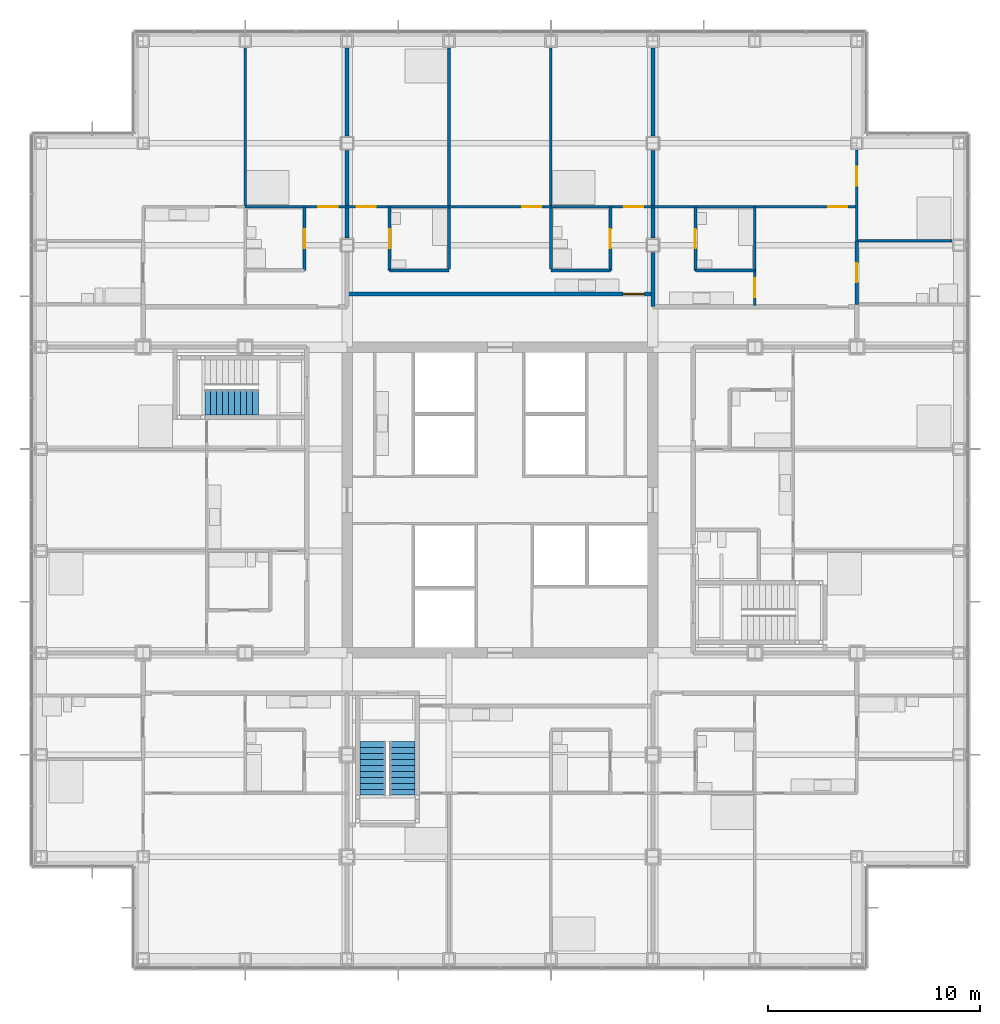
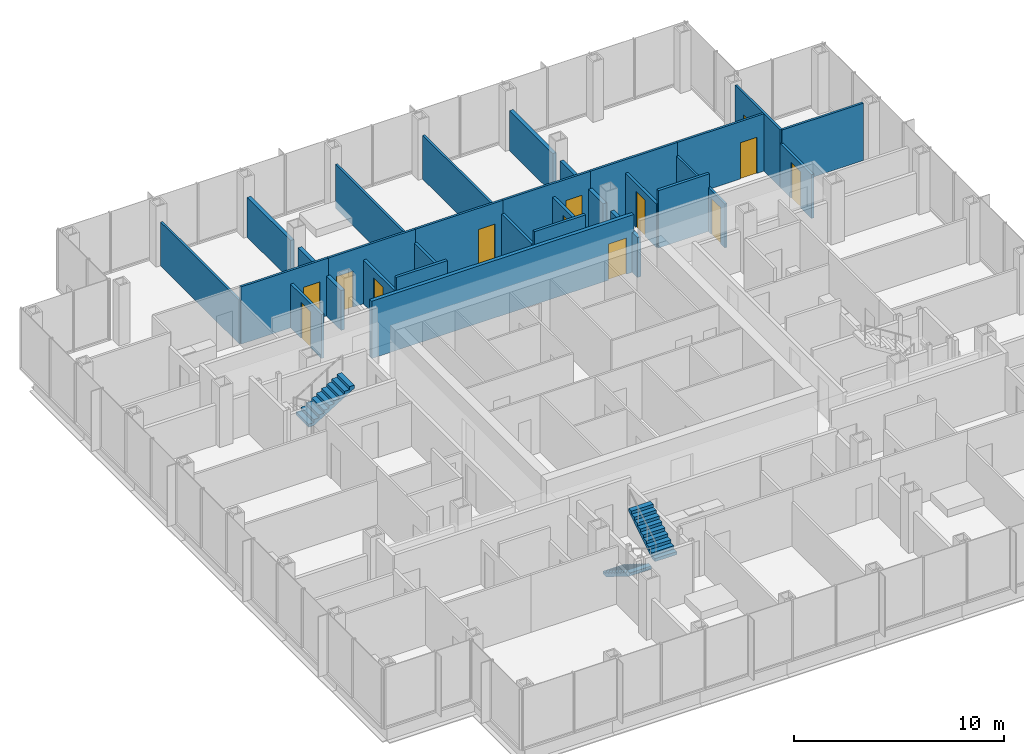
# One storey, part 17 of 21: 28 walls, 13 doors, 3 stair flights, 13 openings, 2 elements without a shape of their own.
"""IFC4 building model written with IfcOpenShell, lengths in metres."""

from ifc_helpers import new_model, si_unit, direction, frame, frame_2d, origin, place, context, subcontext, project, spatial, polyline, rectangle, outline, extrude, material, layer, layer_set, type_object, element, fill, aggregate, save


model = new_model("IFC4")

# Units and contexts
model_context = context("Model", 3, precision=1e-05, world=origin(), true_north=direction((0.0, 1.0)))
body_context = subcontext(model_context, "Body", "Model", "MODEL_VIEW")
ifc_project = project(units=[si_unit("LENGTHUNIT", "METRE"), si_unit("AREAUNIT", "SQUARE_METRE"), si_unit("VOLUMEUNIT", "CUBIC_METRE"), si_unit("PLANEANGLEUNIT", "RADIAN"), si_unit("MASSUNIT", "GRAM", prefix="KILO")], contexts=[model_context])

# Site, building, storey
site_placement = place(None, origin())
site = spatial("IfcSite", under=ifc_project, at=site_placement, CompositionType="ELEMENT")
building_placement = place(site_placement, origin())
building = spatial("IfcBuilding", under=site, at=building_placement, Name="Kvirike Care Tower", CompositionType="ELEMENT")
storey_placement = place(building_placement, frame((0.0, 0.0, 65.5)))
storey = spatial("IfcBuildingStorey", under=building, at=storey_placement, Name="L17", CompositionType="ELEMENT", Elevation=65.5)

# Wall, opening, door
ifc_material_1 = material(Name="Moisture-resistant board partition", Category="gypsum")
ifc_layer_1 = layer(ifc_material_1, 0.14990234375)
ifc_layer_set_1 = layer_set([ifc_layer_1], Name="BATHROOM WALL 150")
wall_type_1 = type_object("IfcWallType", Name="BATHROOM WALL 150", PredefinedType="PARTITIONING", material=ifc_layer_set_1)
wall_1_placement = place(storey_placement, frame((12.39990234375, 49.800048828125, 0.0), z_axis=(0.0, 0.0, 1.0), x_axis=(0.0, -1.0, 0.0)))
wall_1 = element("IfcWall", 1, at=wall_1_placement, inside=storey, type_object=wall_type_1, Name="Bathroom Wall 150 L17", PredefinedType="PARTITIONING", context=body_context, shape_type="SweptSolid", body=[
    extrude(rectangle(XDim=3.0, YDim=0.14990234375, at=frame_2d((1.5, 0.0))), origin(), (0.0, 0.0, 1.0), 2.550048828125),
])
opening_1_placement = place(wall_1_placement, frame((1.050048828125, 0.0, 0.0)))
opening_1 = element("IfcOpeningElement", 2, at=opening_1_placement, cuts=wall_1, Name="Opening 17-015", PredefinedType="OPENING", context=body_context, shape_type="SweptSolid", body=[
    extrude(rectangle(XDim=0.89990234375, YDim=2.10009765625, at=frame_2d((0.449951171875, 1.050048828125))), frame((0.0, 0.08544921875, 0.0), z_axis=(0.0, -1.0, 0.0), x_axis=(1.0, 0.0, 0.0)), (0.0, 0.0, 1.0), 0.1708984375),
])
ifc_material_2 = material(Name="Timber door set", Category="wood")
door_type_1 = type_object("IfcDoorType", Name="BATHROOM DOOR 900", OperationType="SINGLE_SWING_RIGHT", PredefinedType="DOOR", material=ifc_material_2)
door_1_placement = place(opening_1_placement, frame((0.89990234375, 0.0, 0.0), z_axis=(0.0, 0.0, 1.0), x_axis=(-1.0, 0.0, 0.0)))
door_1 = element("IfcDoor", 3, at=door_1_placement, inside=storey, type_object=door_type_1, Name="Shower room door", OperationType="SINGLE_SWING_RIGHT", OverallHeight=2.10009765625, OverallWidth=0.89990234375, PredefinedType="DOOR", context=body_context, shape_type="SweptSolid", body=[
    extrude(rectangle(XDim=0.89990234375, YDim=2.10009765625, at=frame_2d((0.449951171875, 1.050048828125))), frame((0.0, 0.02197265625, 0.0), z_axis=(0.0, -1.0, 0.0), x_axis=(1.0, 0.0, 0.0)), (0.0, 0.0, 1.0), 0.0439453125),
])
fill(opening_1, door_1)

wall_2_placement = place(storey_placement, frame((26.800048828125, 49.800048828125, 0.0), z_axis=(0.0, 0.0, 1.0), x_axis=(0.0, -1.0, 0.0)))
wall_2 = element("IfcWall", 4, at=wall_2_placement, inside=storey, type_object=wall_type_1, Name="Bathroom Wall 150 L17", PredefinedType="PARTITIONING", context=body_context, shape_type="SweptSolid", body=[
    extrude(rectangle(XDim=3.0, YDim=0.14990234375, at=frame_2d((1.5, 0.0))), origin(), (0.0, 0.0, 1.0), 2.550048828125),
])
opening_2_placement = place(wall_2_placement, frame((1.050048828125, 0.0, 0.0)))
opening_2 = element("IfcOpeningElement", 5, at=opening_2_placement, cuts=wall_2, Name="Opening 17-027", PredefinedType="OPENING", context=body_context, shape_type="SweptSolid", body=[
    extrude(rectangle(XDim=0.89990234375, YDim=2.10009765625, at=frame_2d((0.449951171875, 1.050048828125))), frame((0.0, 0.08544921875, 0.0), z_axis=(0.0, -1.0, 0.0), x_axis=(1.0, 0.0, 0.0)), (0.0, 0.0, 1.0), 0.1708984375),
])
door_2_placement = place(opening_2_placement, frame((0.89990234375, 0.0, 0.0), z_axis=(0.0, 0.0, 1.0), x_axis=(-1.0, 0.0, 0.0)))
door_2 = element("IfcDoor", 6, at=door_2_placement, inside=storey, type_object=door_type_1, Name="Shower room door", OperationType="SINGLE_SWING_LEFT", OverallHeight=2.10009765625, OverallWidth=0.89990234375, PredefinedType="DOOR", context=body_context, shape_type="SweptSolid", body=[
    extrude(rectangle(XDim=0.89990234375, YDim=2.10009765625, at=frame_2d((0.449951171875, 1.050048828125))), frame((0.0, 0.02197265625, 0.0), z_axis=(0.0, -1.0, 0.0), x_axis=(1.0, 0.0, 0.0)), (0.0, 0.0, 1.0), 0.0439453125),
])
fill(opening_2, door_2)

# Wall
wall_3_placement = place(storey_placement, frame((26.800048828125, 46.800048828125, 0.0), z_axis=(0.0, 0.0, 1.0), x_axis=(-1.0, 0.0, 0.0)))
element("IfcWall", 7, at=wall_3_placement, inside=storey, type_object=wall_type_1, Name="Bathroom Wall 150 L17", PredefinedType="PARTITIONING", context=body_context, shape_type="SweptSolid", body=[
    extrude(rectangle(XDim=2.800048828125, YDim=0.14990234375, at=frame_2d((1.39990234375, 0.0))), origin(), (0.0, 0.0, 1.0), 3.330078125),
])

# Wall, opening, door
wall_4_placement = place(storey_placement, frame((16.39990234375, 49.800048828125, 0.0), z_axis=(0.0, 0.0, 1.0), x_axis=(0.0, -1.0, 0.0)))
wall_4 = element("IfcWall", 8, at=wall_4_placement, inside=storey, type_object=wall_type_1, Name="Bathroom Wall 150 L17", PredefinedType="PARTITIONING", context=body_context, shape_type="SweptSolid", body=[
    extrude(rectangle(XDim=3.0, YDim=0.14990234375, at=frame_2d((1.5, 0.0))), origin(), (0.0, 0.0, 1.0), 2.550048828125),
])
opening_3_placement = place(wall_4_placement, frame((1.050048828125, 0.0, 0.0)))
opening_3 = element("IfcOpeningElement", 9, at=opening_3_placement, cuts=wall_4, Name="Opening 17-028", PredefinedType="OPENING", context=body_context, shape_type="SweptSolid", body=[
    extrude(rectangle(XDim=0.89990234375, YDim=2.10009765625, at=frame_2d((0.449951171875, 1.050048828125))), frame((0.0, 0.08544921875, 0.0), z_axis=(0.0, -1.0, 0.0), x_axis=(1.0, 0.0, 0.0)), (0.0, 0.0, 1.0), 0.1708984375),
])
door_3_placement = place(opening_3_placement, origin())
door_3 = element("IfcDoor", 10, at=door_3_placement, inside=storey, type_object=door_type_1, Name="Bathroom door", OperationType="SINGLE_SWING_LEFT", OverallHeight=2.10009765625, OverallWidth=0.89990234375, PredefinedType="DOOR", context=body_context, shape_type="SweptSolid", body=[
    extrude(rectangle(XDim=0.89990234375, YDim=2.10009765625, at=frame_2d((0.449951171875, 1.050048828125))), frame((0.0, 0.02197265625, 0.0), z_axis=(0.0, -1.0, 0.0), x_axis=(1.0, 0.0, 0.0)), (0.0, 0.0, 1.0), 0.0439453125),
])
fill(opening_3, door_3)

# Wall
wall_5_placement = place(storey_placement, frame((19.199951171875, 46.800048828125, 0.0), z_axis=(0.0, 0.0, 1.0), x_axis=(-1.0, 0.0, 0.0)))
element("IfcWall", 11, at=wall_5_placement, inside=storey, type_object=wall_type_1, Name="Bathroom Wall 150 L17", PredefinedType="PARTITIONING", context=body_context, shape_type="SweptSolid", body=[
    extrude(rectangle(XDim=2.800048828125, YDim=0.14990234375, at=frame_2d((1.39990234375, 0.0))), origin(), (0.0, 0.0, 1.0), 3.330078125),
])

# Wall, opening, door
wall_6_placement = place(storey_placement, frame((38.39990234375, 48.199951171875, 0.0), z_axis=(0.0, 0.0, 1.0), x_axis=(0.0, -1.0, 0.0)))
wall_6 = element("IfcWall", 12, at=wall_6_placement, inside=storey, type_object=wall_type_1, Name="Bathroom Wall 150 L17", PredefinedType="PARTITIONING", context=body_context, shape_type="SweptSolid", body=[
    extrude(rectangle(XDim=3.0, YDim=0.14990234375, at=frame_2d((1.5, 0.0))), origin(), (0.0, 0.0, 1.0), 2.550048828125),
])
opening_4_placement = place(wall_6_placement, frame((1.050048828125, 0.0, 0.0)))
opening_4 = element("IfcOpeningElement", 13, at=opening_4_placement, cuts=wall_6, Name="Opening 17-047", PredefinedType="OPENING", context=body_context, shape_type="SweptSolid", body=[
    extrude(rectangle(XDim=0.89990234375, YDim=2.10009765625, at=frame_2d((0.449951171875, 1.050048828125))), frame((0.0, 0.08544921875, 0.0), z_axis=(0.0, -1.0, 0.0), x_axis=(1.0, 0.0, 0.0)), (0.0, 0.0, 1.0), 0.1708984375),
])
door_4_placement = place(opening_4_placement, origin())
door_4 = element("IfcDoor", 14, at=door_4_placement, inside=storey, type_object=door_type_1, Name="Shower room door", OperationType="SINGLE_SWING_RIGHT", OverallHeight=2.10009765625, OverallWidth=0.89990234375, PredefinedType="DOOR", context=body_context, shape_type="SweptSolid", body=[
    extrude(rectangle(XDim=0.89990234375, YDim=2.10009765625, at=frame_2d((0.449951171875, 1.050048828125))), frame((0.0, 0.02197265625, 0.0), z_axis=(0.0, -1.0, 0.0), x_axis=(1.0, 0.0, 0.0)), (0.0, 0.0, 1.0), 0.0439453125),
])
fill(opening_4, door_4)

wall_7_placement = place(storey_placement, frame((30.800048828125, 49.800048828125, 0.0), z_axis=(0.0, 0.0, 1.0), x_axis=(0.0, -1.0, 0.0)))
wall_7 = element("IfcWall", 15, at=wall_7_placement, inside=storey, type_object=wall_type_1, Name="Bathroom Wall 150 L17", PredefinedType="PARTITIONING", context=body_context, shape_type="SweptSolid", body=[
    extrude(rectangle(XDim=3.0, YDim=0.14990234375, at=frame_2d((1.5, 0.0))), origin(), (0.0, 0.0, 1.0), 2.550048828125),
])
opening_5_placement = place(wall_7_placement, frame((1.050048828125, 0.0, 0.0)))
opening_5 = element("IfcOpeningElement", 16, at=opening_5_placement, cuts=wall_7, Name="Opening 17-048", PredefinedType="OPENING", context=body_context, shape_type="SweptSolid", body=[
    extrude(rectangle(XDim=0.89990234375, YDim=2.10009765625, at=frame_2d((0.449951171875, 1.050048828125))), frame((0.0, 0.08544921875, 0.0), z_axis=(0.0, -1.0, 0.0), x_axis=(1.0, 0.0, 0.0)), (0.0, 0.0, 1.0), 0.1708984375),
])
door_5_placement = place(opening_5_placement, origin())
door_5 = element("IfcDoor", 17, at=door_5_placement, inside=storey, type_object=door_type_1, Name="Bathroom door", OperationType="SINGLE_SWING_LEFT", OverallHeight=2.10009765625, OverallWidth=0.89990234375, PredefinedType="DOOR", context=body_context, shape_type="SweptSolid", body=[
    extrude(rectangle(XDim=0.89990234375, YDim=2.10009765625, at=frame_2d((0.449951171875, 1.050048828125))), frame((0.0, 0.02197265625, 0.0), z_axis=(0.0, -1.0, 0.0), x_axis=(1.0, 0.0, 0.0)), (0.0, 0.0, 1.0), 0.0439453125),
])
fill(opening_5, door_5)

# Walls
wall_8_placement = place(storey_placement, frame((33.60009765625, 46.800048828125, 0.0), z_axis=(0.0, 0.0, 1.0), x_axis=(-1.0, 0.0, 0.0)))
element("IfcWall", 18, at=wall_8_placement, inside=storey, type_object=wall_type_1, Name="Bathroom Wall 150 L17", PredefinedType="PARTITIONING", context=body_context, shape_type="SweptSolid", body=[
    extrude(rectangle(XDim=2.800048828125, YDim=0.14990234375, at=frame_2d((1.39990234375, 0.0))), origin(), (0.0, 0.0, 1.0), 3.330078125),
])
for number, where, z_axis, x_axis, name in (
    (19, (24.0, 46.875, 0.0), (0.0, 0.0, 1.0), (0.0, 1.0, 0.0), "Bathroom Wall 150 L17"),
    (20, (19.199951171875, 49.739990234375, 0.0), (0.0, 0.0, 1.0), (0.0, -1.0, 0.0), "Bathroom Wall 150 L17"),
):
    element("IfcWall", number, at=place(storey_placement, frame(where, z_axis=z_axis, x_axis=x_axis)), inside=storey, type_object=wall_type_1, Name=name, PredefinedType="PARTITIONING", context=body_context, shape_type="SweptSolid", body=[
        extrude(rectangle(XDim=2.864990234375, YDim=0.14990234375, at=frame_2d((1.4326171875, 0.0))), origin(), (0.0, 0.0, 1.0), 2.550048828125),
    ])

# Wall, opening, door
ifc_material_3 = material(Name="Plasterboard corridor wall", Category="gypsum")
ifc_layer_2 = layer(ifc_material_3, 0.199951171875)
ifc_layer_set_2 = layer_set([ifc_layer_2], Name="CORRIDOR WALL 200")
wall_type_2 = type_object("IfcWallType", Name="CORRIDOR WALL 200", PredefinedType="PARTITIONING", material=ifc_layer_set_2)
wall_9_placement = place(storey_placement, frame((28.800048828125, 45.699951171875, 0.0), z_axis=(0.0, 0.0, 1.0), x_axis=(-1.0, 0.0, 0.0)))
wall_9 = element("IfcWall", 21, at=wall_9_placement, inside=storey, type_object=wall_type_2, Name="Corridor Wall 200 L17", PredefinedType="PARTITIONING", context=body_context, shape_type="SweptSolid", body=[
    extrude(rectangle(XDim=14.400146484375, YDim=0.199951171875, at=frame_2d((7.2001953125, 0.0))), origin(), (0.0, 0.0, 1.0), 3.330078125),
])
opening_6_placement = place(wall_9_placement, frame((0.39990234375, 0.0, 0.0)))
opening_6 = element("IfcOpeningElement", 22, at=opening_6_placement, cuts=wall_9, Name="Opening 17-032", PredefinedType="OPENING", context=body_context, shape_type="SweptSolid", body=[
    extrude(rectangle(XDim=1.0, YDim=2.10009765625, at=frame_2d((0.5, 1.050048828125))), frame((0.0, 0.110595703125, 0.0), z_axis=(0.0, -1.0, 0.0), x_axis=(1.0, 0.0, 0.0)), (0.0, 0.0, 1.0), 0.220947265625),
])
ifc_material_4 = material(Name="Timber door set", Category="wood")
door_type_2 = type_object("IfcDoorType", Name="FLAT ENTRANCE DOOR 1000", OperationType="SINGLE_SWING_LEFT", PredefinedType="DOOR", material=ifc_material_4)
door_6_placement = place(opening_6_placement, frame((1.0, 0.0, 0.0), z_axis=(0.0, 0.0, 1.0), x_axis=(-1.0, 0.0, 0.0)))
door_6 = element("IfcDoor", 23, at=door_6_placement, inside=storey, type_object=door_type_2, Name="Two-bedroom apartment entrance", OperationType="SINGLE_SWING_LEFT", OverallHeight=2.10009765625, OverallWidth=1.0, PredefinedType="DOOR", context=body_context, shape_type="SweptSolid", body=[
    extrude(rectangle(XDim=1.0, YDim=2.10009765625, at=frame_2d((0.5, 1.050048828125))), frame((0.0, 0.02685546875, 0.0), z_axis=(0.0, -1.0, 0.0), x_axis=(1.0, 0.0, 0.0)), (0.0, 0.0, 1.0), 0.053955078125),
])
fill(opening_6, door_6)

ifc_material_5 = material(Name="Plasterboard partition", Category="gypsum")
ifc_layer_3 = layer(ifc_material_5, 0.1201171875)
ifc_layer_set_3 = layer_set([ifc_layer_3], Name="PARTITION 120")
wall_type_3 = type_object("IfcWallType", Name="PARTITION 120", PredefinedType="PARTITIONING", material=ifc_layer_set_3)
wall_10_placement = place(storey_placement, frame((14.39990234375, 49.800048828125, 0.0), z_axis=(0.0, 0.0, 1.0), x_axis=(-1.0, 0.0, 0.0)))
wall_10 = element("IfcWall", 24, at=wall_10_placement, inside=storey, type_object=wall_type_3, Name="Partition 120 L17", PredefinedType="PARTITIONING", context=body_context, shape_type="SweptSolid", body=[
    extrude(rectangle(XDim=4.7998046875, YDim=0.1201171875, at=frame_2d((2.39990234375, 0.0))), origin(), (0.0, 0.0, 1.0), 3.330078125),
])
opening_7_placement = place(wall_10_placement, frame((0.449951171875, 0.0, 0.0)))
opening_7 = element("IfcOpeningElement", 25, at=opening_7_placement, cuts=wall_10, Name="Opening 17-018", PredefinedType="OPENING", context=body_context, shape_type="SweptSolid", body=[
    extrude(rectangle(XDim=0.89990234375, YDim=2.10009765625, at=frame_2d((0.449951171875, 1.050048828125))), frame((0.0, 0.070556640625, 0.0), z_axis=(0.0, -1.0, 0.0), x_axis=(1.0, 0.0, 0.0)), (0.0, 0.0, 1.0), 0.14111328125),
])
ifc_material_6 = material(Name="Timber door set", Category="wood")
door_type_3 = type_object("IfcDoorType", Name="INTERNAL DOOR 900", OperationType="SINGLE_SWING_LEFT", PredefinedType="DOOR", material=ifc_material_6)
door_7_placement = place(opening_7_placement, origin())
door_7 = element("IfcDoor", 26, at=door_7_placement, inside=storey, type_object=door_type_3, Name="Apartment bedroom door", OperationType="SINGLE_SWING_RIGHT", OverallHeight=2.10009765625, OverallWidth=0.89990234375, PredefinedType="DOOR", context=body_context, shape_type="SweptSolid", body=[
    extrude(rectangle(XDim=0.89990234375, YDim=2.10009765625, at=frame_2d((0.449951171875, 1.050048828125))), frame((0.0, 0.02197265625, 0.0), z_axis=(0.0, -1.0, 0.0), x_axis=(1.0, 0.0, 0.0)), (0.0, 0.0, 1.0), 0.0439453125),
])
fill(opening_7, door_7)

# Wall
wall_11_placement = place(storey_placement, frame((9.60009765625, 57.280029296875, 0.0), z_axis=(0.0, 0.0, 1.0), x_axis=(0.0, -1.0, 0.0)))
element("IfcWall", 27, at=wall_11_placement, inside=storey, type_object=wall_type_3, Name="Partition 120 L17", PredefinedType="PARTITIONING", context=body_context, shape_type="SweptSolid", body=[
    extrude(rectangle(XDim=7.47998046875, YDim=0.1201171875, at=frame_2d((3.739990234375, 0.0))), origin(), (0.0, 0.0, 1.0), 2.550048828125),
])

# Wall, opening, door
wall_12_placement = place(storey_placement, frame((28.800048828125, 49.800048828125, 0.0), z_axis=(0.0, 0.0, 1.0), x_axis=(-1.0, 0.0, 0.0)))
wall_12 = element("IfcWall", 28, at=wall_12_placement, inside=storey, type_object=wall_type_3, Name="Partition 120 L17", PredefinedType="PARTITIONING", context=body_context, shape_type="SweptSolid", body=[
    extrude(rectangle(XDim=4.800048828125, YDim=0.1201171875, at=frame_2d((2.39990234375, 0.0))), origin(), (0.0, 0.0, 1.0), 3.330078125),
])
opening_8_placement = place(wall_12_placement, frame((0.449951171875, 0.0, 0.0)))
opening_8 = element("IfcOpeningElement", 29, at=opening_8_placement, cuts=wall_12, Name="Opening 17-029", PredefinedType="OPENING", context=body_context, shape_type="SweptSolid", body=[
    extrude(rectangle(XDim=0.89990234375, YDim=2.10009765625, at=frame_2d((0.449951171875, 1.050048828125))), frame((0.0, 0.070556640625, 0.0), z_axis=(0.0, -1.0, 0.0), x_axis=(1.0, 0.0, 0.0)), (0.0, 0.0, 1.0), 0.14111328125),
])
door_8_placement = place(opening_8_placement, frame((0.89990234375, 0.0, 0.0), z_axis=(0.0, 0.0, 1.0), x_axis=(-1.0, 0.0, 0.0)))
door_8 = element("IfcDoor", 30, at=door_8_placement, inside=storey, type_object=door_type_3, Name="Apartment bedroom door", OperationType="SINGLE_SWING_LEFT", OverallHeight=2.10009765625, OverallWidth=0.89990234375, PredefinedType="DOOR", context=body_context, shape_type="SweptSolid", body=[
    extrude(rectangle(XDim=0.89990234375, YDim=2.10009765625, at=frame_2d((0.449951171875, 1.050048828125))), frame((0.0, 0.02197265625, 0.0), z_axis=(0.0, -1.0, 0.0), x_axis=(1.0, 0.0, 0.0)), (0.0, 0.0, 1.0), 0.0439453125),
])
fill(opening_8, door_8)

wall_13_placement = place(storey_placement, frame((24.0, 49.800048828125, 0.0), z_axis=(0.0, 0.0, 1.0), x_axis=(-1.0, 0.0, 0.0)))
wall_13 = element("IfcWall", 31, at=wall_13_placement, inside=storey, type_object=wall_type_3, Name="Partition 120 L17", PredefinedType="PARTITIONING", context=body_context, shape_type="SweptSolid", body=[
    extrude(rectangle(XDim=4.800048828125, YDim=0.1201171875, at=frame_2d((2.39990234375, 0.0))), origin(), (0.0, 0.0, 1.0), 3.330078125),
])
opening_9_placement = place(wall_13_placement, frame((0.449951171875, 0.0, 0.0)))
opening_9 = element("IfcOpeningElement", 32, at=opening_9_placement, cuts=wall_13, Name="Opening 17-030", PredefinedType="OPENING", context=body_context, shape_type="SweptSolid", body=[
    extrude(rectangle(XDim=0.89990234375, YDim=2.10009765625, at=frame_2d((0.449951171875, 1.050048828125))), frame((0.0, 0.070556640625, 0.0), z_axis=(0.0, -1.0, 0.0), x_axis=(1.0, 0.0, 0.0)), (0.0, 0.0, 1.0), 0.14111328125),
])
door_9_placement = place(opening_9_placement, frame((0.89990234375, 0.0, 0.0), z_axis=(0.0, 0.0, 1.0), x_axis=(-1.0, 0.0, 0.0)))
door_9 = element("IfcDoor", 33, at=door_9_placement, inside=storey, type_object=door_type_3, Name="Apartment living room door", OperationType="SINGLE_SWING_RIGHT", OverallHeight=2.10009765625, OverallWidth=0.89990234375, PredefinedType="DOOR", context=body_context, shape_type="SweptSolid", body=[
    extrude(rectangle(XDim=0.89990234375, YDim=2.10009765625, at=frame_2d((0.449951171875, 1.050048828125))), frame((0.0, 0.02197265625, 0.0), z_axis=(0.0, -1.0, 0.0), x_axis=(1.0, 0.0, 0.0)), (0.0, 0.0, 1.0), 0.0439453125),
])
fill(opening_9, door_9)

wall_14_placement = place(storey_placement, frame((19.199951171875, 49.800048828125, 0.0), z_axis=(0.0, 0.0, 1.0), x_axis=(-1.0, 0.0, 0.0)))
wall_14 = element("IfcWall", 34, at=wall_14_placement, inside=storey, type_object=wall_type_3, Name="Partition 120 L17", PredefinedType="PARTITIONING", context=body_context, shape_type="SweptSolid", body=[
    extrude(rectangle(XDim=4.800048828125, YDim=0.1201171875, at=frame_2d((2.39990234375, 0.0))), origin(), (0.0, 0.0, 1.0), 3.330078125),
])
opening_10_placement = place(wall_14_placement, frame((3.449951171875, 0.0, 0.0)))
opening_10 = element("IfcOpeningElement", 35, at=opening_10_placement, cuts=wall_14, Name="Opening 17-031", PredefinedType="OPENING", context=body_context, shape_type="SweptSolid", body=[
    extrude(rectangle(XDim=0.89990234375, YDim=2.10009765625, at=frame_2d((0.449951171875, 1.050048828125))), frame((0.0, 0.070556640625, 0.0), z_axis=(0.0, -1.0, 0.0), x_axis=(1.0, 0.0, 0.0)), (0.0, 0.0, 1.0), 0.14111328125),
])
door_10_placement = place(opening_10_placement, frame((0.89990234375, 0.0, 0.0), z_axis=(0.0, 0.0, 1.0), x_axis=(-1.0, 0.0, 0.0)))
door_10 = element("IfcDoor", 36, at=door_10_placement, inside=storey, type_object=door_type_3, Name="Apartment bedroom door", OperationType="SINGLE_SWING_RIGHT", OverallHeight=2.10009765625, OverallWidth=0.89990234375, PredefinedType="DOOR", context=body_context, shape_type="SweptSolid", body=[
    extrude(rectangle(XDim=0.89990234375, YDim=2.10009765625, at=frame_2d((0.449951171875, 1.050048828125))), frame((0.0, 0.02197265625, 0.0), z_axis=(0.0, -1.0, 0.0), x_axis=(1.0, 0.0, 0.0)), (0.0, 0.0, 1.0), 0.0439453125),
])
fill(opening_10, door_10)

# Walls
for number, where, z_axis, x_axis, name in (
    (37, (24.0, 57.280029296875, 0.0), (0.0, 0.0, 1.0), (0.0, -1.0, 0.0), "Partition 120 L17"),
    (38, (19.199951171875, 57.280029296875, 0.0), (0.0, 0.0, 1.0), (0.0, -1.0, 0.0), "Partition 120 L17"),
):
    element("IfcWall", number, at=place(storey_placement, frame(where, z_axis=z_axis, x_axis=x_axis)), inside=storey, type_object=wall_type_3, Name=name, PredefinedType="PARTITIONING", context=body_context, shape_type="SweptSolid", body=[
        extrude(rectangle(XDim=7.47998046875, YDim=0.1201171875, at=frame_2d((3.739990234375, 0.0))), origin(), (0.0, 0.0, 1.0), 2.550048828125),
    ])

# Wall, opening, door
wall_15_placement = place(storey_placement, frame((33.60009765625, 49.800048828125, 0.0), z_axis=(0.0, 0.0, 1.0), x_axis=(0.0, -1.0, 0.0)))
wall_15 = element("IfcWall", 39, at=wall_15_placement, inside=storey, type_object=wall_type_3, Name="Partition 120 L17", PredefinedType="PARTITIONING", context=body_context, shape_type="SweptSolid", body=[
    extrude(rectangle(XDim=4.650146484375, YDim=0.1201171875, at=frame_2d((2.3251953125, 0.0))), origin(), (0.0, 0.0, 1.0), 2.550048828125),
])
opening_11_placement = place(wall_15_placement, frame((3.35009765625, 0.0, 0.0)))
opening_11 = element("IfcOpeningElement", 40, at=opening_11_placement, cuts=wall_15, Name="Opening 17-049", PredefinedType="OPENING", context=body_context, shape_type="SweptSolid", body=[
    extrude(rectangle(XDim=0.89990234375, YDim=2.10009765625, at=frame_2d((0.449951171875, 1.050048828125))), frame((0.0, 0.070556640625, 0.0), z_axis=(0.0, -1.0, 0.0), x_axis=(1.0, 0.0, 0.0)), (0.0, 0.0, 1.0), 0.14111328125),
])
door_11_placement = place(opening_11_placement, frame((0.89990234375, 0.0, 0.0), z_axis=(0.0, 0.0, 1.0), x_axis=(-1.0, 0.0, 0.0)))
door_11 = element("IfcDoor", 41, at=door_11_placement, inside=storey, type_object=door_type_3, Name="Hall door", OperationType="SINGLE_SWING_LEFT", OverallHeight=2.10009765625, OverallWidth=0.89990234375, PredefinedType="DOOR", context=body_context, shape_type="SweptSolid", body=[
    extrude(rectangle(XDim=0.89990234375, YDim=2.10009765625, at=frame_2d((0.449951171875, 1.050048828125))), frame((0.0, 0.02197265625, 0.0), z_axis=(0.0, -1.0, 0.0), x_axis=(1.0, 0.0, 0.0)), (0.0, 0.0, 1.0), 0.0439453125),
])
fill(opening_11, door_11)

# Wall
wall_16_placement = place(storey_placement, frame((42.8798828125, 48.199951171875, 0.0), z_axis=(0.0, 0.0, 1.0), x_axis=(-1.0, 0.0, 0.0)))
element("IfcWall", 42, at=wall_16_placement, inside=storey, type_object=wall_type_3, Name="Partition 120 L17", PredefinedType="PARTITIONING", context=body_context, shape_type="SweptSolid", body=[
    extrude(rectangle(XDim=4.47998046875, YDim=0.1201171875, at=frame_2d((2.239990234375, 0.0))), origin(), (0.0, 0.0, 1.0), 3.330078125),
])

# Wall, opening, door
wall_17_placement = place(storey_placement, frame((38.39990234375, 49.800048828125, 0.0), z_axis=(0.0, 0.0, 1.0), x_axis=(-1.0, 0.0, 0.0)))
wall_17 = element("IfcWall", 43, at=wall_17_placement, inside=storey, type_object=wall_type_3, Name="Partition 120 L17", PredefinedType="PARTITIONING", context=body_context, shape_type="SweptSolid", body=[
    extrude(rectangle(XDim=4.7998046875, YDim=0.1201171875, at=frame_2d((2.39990234375, 0.0))), origin(), (0.0, 0.0, 1.0), 3.330078125),
])
opening_12_placement = place(wall_17_placement, frame((0.449951171875, 0.0, 0.0)))
opening_12 = element("IfcOpeningElement", 44, at=opening_12_placement, cuts=wall_17, Name="Opening 17-050", PredefinedType="OPENING", context=body_context, shape_type="SweptSolid", body=[
    extrude(rectangle(XDim=0.89990234375, YDim=2.10009765625, at=frame_2d((0.449951171875, 1.050048828125))), frame((0.0, 0.070556640625, 0.0), z_axis=(0.0, -1.0, 0.0), x_axis=(1.0, 0.0, 0.0)), (0.0, 0.0, 1.0), 0.14111328125),
])
door_12_placement = place(opening_12_placement, origin())
door_12 = element("IfcDoor", 45, at=door_12_placement, inside=storey, type_object=door_type_3, Name="Apartment living and dining room door", OperationType="SINGLE_SWING_RIGHT", OverallHeight=2.10009765625, OverallWidth=0.89990234375, PredefinedType="DOOR", context=body_context, shape_type="SweptSolid", body=[
    extrude(rectangle(XDim=0.89990234375, YDim=2.10009765625, at=frame_2d((0.449951171875, 1.050048828125))), frame((0.0, 0.02197265625, 0.0), z_axis=(0.0, -1.0, 0.0), x_axis=(1.0, 0.0, 0.0)), (0.0, 0.0, 1.0), 0.0439453125),
])
fill(opening_12, door_12)

# Wall
wall_18_placement = place(storey_placement, frame((33.60009765625, 49.800048828125, 0.0), z_axis=(0.0, 0.0, 1.0), x_axis=(-1.0, 0.0, 0.0)))
element("IfcWall", 46, at=wall_18_placement, inside=storey, type_object=wall_type_3, Name="Partition 120 L17", PredefinedType="PARTITIONING", context=body_context, shape_type="SweptSolid", body=[
    extrude(rectangle(XDim=4.800048828125, YDim=0.1201171875, at=frame_2d((2.39990234375, 0.0))), origin(), (0.0, 0.0, 1.0), 3.330078125),
])

# Wall, opening, door
wall_19_placement = place(storey_placement, frame((38.39990234375, 52.47998046875, 0.0), z_axis=(0.0, 0.0, 1.0), x_axis=(0.0, -1.0, 0.0)))
wall_19 = element("IfcWall", 47, at=wall_19_placement, inside=storey, type_object=wall_type_3, Name="Partition 120 L17", PredefinedType="PARTITIONING", context=body_context, shape_type="SweptSolid", body=[
    extrude(rectangle(XDim=4.280029296875, YDim=0.1201171875, at=frame_2d((2.14013671875, 0.0))), origin(), (0.0, 0.0, 1.0), 3.330078125),
])
opening_13_placement = place(wall_19_placement, frame((0.780029296875, 0.0, 0.0)))
opening_13 = element("IfcOpeningElement", 48, at=opening_13_placement, cuts=wall_19, Name="Opening 17-051", PredefinedType="OPENING", context=body_context, shape_type="SweptSolid", body=[
    extrude(rectangle(XDim=0.89990234375, YDim=2.10009765625, at=frame_2d((0.449951171875, 1.050048828125))), frame((0.0, 0.070556640625, 0.0), z_axis=(0.0, -1.0, 0.0), x_axis=(1.0, 0.0, 0.0)), (0.0, 0.0, 1.0), 0.14111328125),
])
door_13_placement = place(opening_13_placement, origin())
door_13 = element("IfcDoor", 49, at=door_13_placement, inside=storey, type_object=door_type_3, Name="Connecting door", OperationType="SINGLE_SWING_RIGHT", OverallHeight=2.10009765625, OverallWidth=0.89990234375, PredefinedType="DOOR", context=body_context, shape_type="SweptSolid", body=[
    extrude(rectangle(XDim=0.89990234375, YDim=2.10009765625, at=frame_2d((0.449951171875, 1.050048828125))), frame((0.0, 0.02197265625, 0.0), z_axis=(0.0, -1.0, 0.0), x_axis=(1.0, 0.0, 0.0)), (0.0, 0.0, 1.0), 0.0439453125),
])
fill(opening_13, door_13)

# Walls
ifc_material_7 = material(Name="Plasterboard party wall", Category="gypsum")
ifc_layer_4 = layer(ifc_material_7, 0.199951171875)
ifc_layer_set_4 = layer_set([ifc_layer_4], Name="PARTY WALL 200")
wall_type_4 = type_object("IfcWallType", Name="PARTY WALL 200", PredefinedType="PARTITIONING", material=ifc_layer_set_4)
wall_20_placement = place(storey_placement, frame((14.39990234375, 48.344970703125, 0.0), z_axis=(0.0, 0.0, 1.0), x_axis=(0.0, 1.0, 0.0)))
element("IfcWall", 50, at=wall_20_placement, inside=storey, type_object=wall_type_4, Name="Party Wall 200 L17", PredefinedType="PARTITIONING", context=body_context, shape_type="SweptSolid", body=[
    extrude(rectangle(XDim=4.110107421875, YDim=0.199951171875, at=frame_2d((2.05517578125, 0.0))), origin(), (0.0, 0.0, 1.0), 2.320068359375),
])
wall_21_placement = place(storey_placement, frame((14.39990234375, 53.14501953125, 0.0), z_axis=(0.0, 0.0, 1.0), x_axis=(0.0, 1.0, 0.0)))
element("IfcWall", 51, at=wall_21_placement, inside=storey, type_object=wall_type_4, Name="Party Wall 200 L17", PredefinedType="PARTITIONING", context=body_context, shape_type="SweptSolid", body=[
    extrude(rectangle(XDim=4.135009765625, YDim=0.199951171875, at=frame_2d((2.0673828125, 0.0))), origin(), (0.0, 0.0, 1.0), 2.320068359375),
])
wall_22_placement = place(storey_placement, frame((28.800048828125, 45.10009765625, 0.0), z_axis=(0.0, 0.0, 1.0), x_axis=(0.0, 1.0, 0.0)))
element("IfcWall", 52, at=wall_22_placement, inside=storey, type_object=wall_type_4, Name="Party Wall 200 L17", PredefinedType="PARTITIONING", context=body_context, shape_type="SweptSolid", body=[
    extrude(rectangle(XDim=2.554931640625, YDim=0.199951171875, at=frame_2d((1.27734375, 0.0))), origin(), (0.0, 0.0, 1.0), 2.320068359375),
])
wall_23_placement = place(storey_placement, frame((28.800048828125, 48.344970703125, 0.0), z_axis=(0.0, 0.0, 1.0), x_axis=(0.0, 1.0, 0.0)))
element("IfcWall", 53, at=wall_23_placement, inside=storey, type_object=wall_type_4, Name="Party Wall 200 L17", PredefinedType="PARTITIONING", context=body_context, shape_type="SweptSolid", body=[
    extrude(rectangle(XDim=4.110107421875, YDim=0.199951171875, at=frame_2d((2.05517578125, 0.0))), origin(), (0.0, 0.0, 1.0), 2.320068359375),
])
wall_24_placement = place(storey_placement, frame((28.800048828125, 53.14501953125, 0.0), z_axis=(0.0, 0.0, 1.0), x_axis=(0.0, 1.0, 0.0)))
element("IfcWall", 54, at=wall_24_placement, inside=storey, type_object=wall_type_4, Name="Party Wall 200 L17", PredefinedType="PARTITIONING", context=body_context, shape_type="SweptSolid", body=[
    extrude(rectangle(XDim=4.135009765625, YDim=0.199951171875, at=frame_2d((2.0673828125, 0.0))), origin(), (0.0, 0.0, 1.0), 2.320068359375),
])

# Stair, stair flight
ifc_material_8 = material(Name="Concrete C35/45", Category="concrete")
stair_type = type_object("IfcStairType", Name="STAIR 20 RISERS", PredefinedType="HALF_TURN_STAIR", material=ifc_material_8)
stair_1_placement = place(storey_placement, origin())
stair_1 = element("IfcStair", 55, at=stair_1_placement, inside=storey, type_object=stair_type, Name="Stair 1 L17", PredefinedType="HALF_TURN_STAIR")
ifc_material_9 = material(Name="Concrete C35/45", Category="concrete")
stair_flight_type = type_object("IfcStairFlightType", Name="FLIGHT 10 RISERS", PredefinedType="STRAIGHT", material=ifc_material_9)
stair_flight_1_placement = place(storey_placement, frame((7.699951171875, 40.60009765625, 1.75), z_axis=(0.0, 0.0, 1.0), x_axis=(1.0, 0.0, 0.0)))
stair_flight_1 = element("IfcStairFlight", 56, at=stair_flight_1_placement, type_object=stair_flight_type, Name="Stair S1 flight 2 L17-L18", NumberOfRisers=10, NumberOfTreads=9, PredefinedType="STRAIGHT", RiserHeight=0.175, TreadLength=0.28, context=body_context, shape_type="SweptSolid", body=[
    extrude(outline(polyline([(0.0, 0.0), (0.0, 0.175048828125), (0.280029296875, 0.175048828125), (0.280029296875, 0.35009765625), (0.56005859375, 0.35009765625), (0.56005859375, 0.52490234375), (0.840087890625, 0.52490234375), (0.840087890625, 0.699951171875), (1.1201171875, 0.699951171875), (1.1201171875, 0.875), (1.39990234375, 0.875), (1.39990234375, 1.050048828125), (1.679931640625, 1.050048828125), (1.679931640625, 1.22509765625), (1.9599609375, 1.22509765625), (1.9599609375, 1.39990234375), (2.239990234375, 1.39990234375), (2.239990234375, 1.574951171875), (2.52001953125, 1.574951171875), (2.52001953125, 1.75), (2.52001953125, 1.398193359375), (0.28271484375, 0.0), (0.0, 0.0)])), frame((0.0, 0.60009765625, 0.0), z_axis=(0.0, -1.0, 0.0), x_axis=(1.0, 0.0, 0.0)), (0.0, 0.0, 1.0), 1.199951171875),
])
aggregate(stair_1, [stair_flight_1])

# Stair, stair flights
stair_2_placement = place(storey_placement, origin())
stair_2 = element("IfcStair", 57, at=stair_2_placement, inside=storey, type_object=stair_type, Name="Stair 5 L17", PredefinedType="HALF_TURN_STAIR")
stair_flight_2_placement = place(storey_placement, frame((15.60009765625, 24.6201171875, 0.0), z_axis=(0.0, 0.0, 1.0), x_axis=(0.0, -1.0, 0.0)))
stair_flight_2 = element("IfcStairFlight", 58, at=stair_flight_2_placement, type_object=stair_flight_type, Name="Stair S5 flight 1 L17-L18", NumberOfRisers=10, NumberOfTreads=9, PredefinedType="STRAIGHT", RiserHeight=0.175, TreadLength=0.28, context=body_context, shape_type="SweptSolid", body=[
    extrude(outline(polyline([(0.0, 0.0), (0.0, 0.175048828125), (0.280029296875, 0.175048828125), (0.280029296875, 0.35009765625), (0.56005859375, 0.35009765625), (0.56005859375, 0.52490234375), (0.840087890625, 0.52490234375), (0.840087890625, 0.699951171875), (1.1201171875, 0.699951171875), (1.1201171875, 0.875), (1.39990234375, 0.875), (1.39990234375, 1.050048828125), (1.679931640625, 1.050048828125), (1.679931640625, 1.22509765625), (1.9599609375, 1.22509765625), (1.9599609375, 1.39990234375), (2.239990234375, 1.39990234375), (2.239990234375, 1.574951171875), (2.52001953125, 1.574951171875), (2.52001953125, 1.75), (2.52001953125, 1.398193359375), (0.28271484375, 0.0), (0.0, 0.0)])), frame((0.0, 0.60009765625, 0.0), z_axis=(0.0, -1.0, 0.0), x_axis=(1.0, 0.0, 0.0)), (0.0, 0.0, 1.0), 1.199951171875),
])
stair_flight_3_placement = place(storey_placement, frame((17.0, 22.10009765625, 1.75), z_axis=(0.0, 0.0, 1.0), x_axis=(0.0, 1.0, 0.0)))
stair_flight_3 = element("IfcStairFlight", 59, at=stair_flight_3_placement, type_object=stair_flight_type, Name="Stair S5 flight 2 L17-L18", NumberOfRisers=10, NumberOfTreads=9, PredefinedType="STRAIGHT", RiserHeight=0.175, TreadLength=0.28, context=body_context, shape_type="SweptSolid", body=[
    extrude(outline(polyline([(0.0, 0.0), (0.0, 0.175048828125), (0.280029296875, 0.175048828125), (0.280029296875, 0.35009765625), (0.56005859375, 0.35009765625), (0.56005859375, 0.52490234375), (0.840087890625, 0.52490234375), (0.840087890625, 0.699951171875), (1.1201171875, 0.699951171875), (1.1201171875, 0.875), (1.39990234375, 0.875), (1.39990234375, 1.050048828125), (1.679931640625, 1.050048828125), (1.679931640625, 1.22509765625), (1.9599609375, 1.22509765625), (1.9599609375, 1.39990234375), (2.239990234375, 1.39990234375), (2.239990234375, 1.574951171875), (2.52001953125, 1.574951171875), (2.52001953125, 1.75), (2.52001953125, 1.398193359375), (0.28271484375, 0.0), (0.0, 0.0)])), frame((0.0, 0.60009765625, 0.0), z_axis=(0.0, -1.0, 0.0), x_axis=(1.0, 0.0, 0.0)), (0.0, 0.0, 1.0), 1.199951171875),
])
aggregate(stair_2, [stair_flight_2, stair_flight_3])

save(model, "model.ifc")
